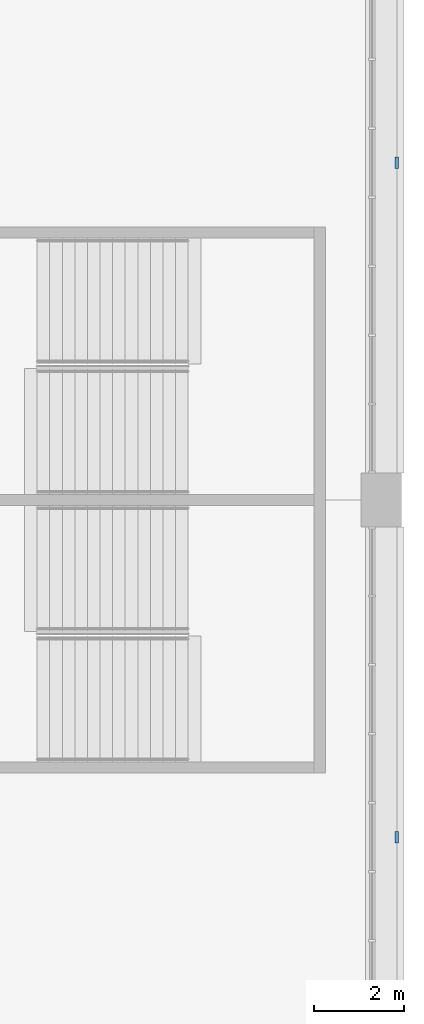
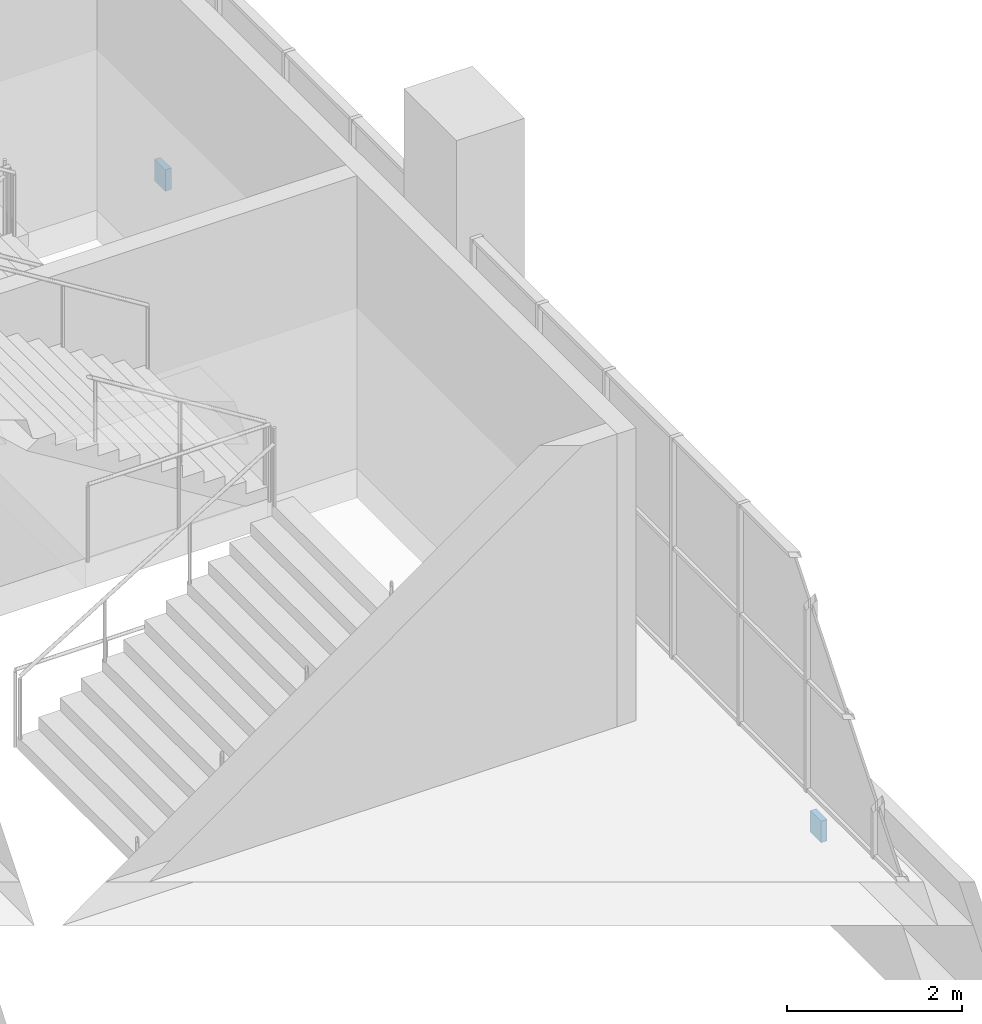
# One storey, part 100 of 199: 2 discrete accessories.
"""IFC4 building model written with IfcOpenShell, lengths in metres."""

from ifc_helpers import new_model, si_unit, direction, frame, origin, origin_2d, place, context, subcontext, project, spatial, rectangle, extrude, material, layer, layer_set, type_object, element, save


model = new_model("IFC4")

# Units and contexts
model_context = context("Model", 3, precision=1e-05, world=origin(), true_north=direction((0.0, 1.0)))
body_context = subcontext(model_context, "Body", "Model", "MODEL_VIEW")
ifc_project = project(units=[si_unit("LENGTHUNIT", "METRE"), si_unit("AREAUNIT", "SQUARE_METRE"), si_unit("VOLUMEUNIT", "CUBIC_METRE"), si_unit("PLANEANGLEUNIT", "RADIAN"), si_unit("MASSUNIT", "GRAM", prefix="KILO")], contexts=[model_context])

# Site, building, storey
site_placement = place(None, origin())
site = spatial("IfcSite", under=ifc_project, at=site_placement, CompositionType="ELEMENT")
building_placement = place(site_placement, origin())
building = spatial("IfcBuilding", under=site, at=building_placement, Name="Ogive Plaza Stadium", CompositionType="ELEMENT")
storey_placement = place(building_placement, frame((0.0, 0.0, 9.0)))
storey = spatial("IfcBuildingStorey", under=building, at=storey_placement, Name="L02", CompositionType="ELEMENT", Elevation=9.0)

# Discrete accessories
ifc_material = material(Name="Steel ASTM A572 Grade 50", Category="steel")
ifc_layer = layer(ifc_material, 0.080078125)
ifc_layer_set = layer_set([ifc_layer], Name="Steel ASTM A572 Grade 50")
discrete_accessory_type = type_object("IfcDiscreteAccessoryType", Name="Spandrel cladding bracket 250x300", PredefinedType="BRACKET", material=ifc_layer_set)
for number, where, z_axis, x_axis, name in (
    (1, (84.35009765625, 45.0, -1.31005859375), (0.0, 0.0, 1.0), (0.0, -1.0, 0.0), "SPANDREL BRACKET B01 L02"),
    (2, (84.35009765625, 30.0, -1.31005859375), (0.0, 0.0, 1.0), (0.0, -1.0, 0.0), "SPANDREL BRACKET B02 L02"),
):
    element("IfcDiscreteAccessory", number, at=place(storey_placement, frame(where, z_axis=z_axis, x_axis=x_axis)), inside=storey, type_object=discrete_accessory_type, Name=name, PredefinedType="BRACKET", context=body_context, shape_type="SweptSolid", body=[
        extrude(rectangle(XDim=0.25, YDim=0.080078125, at=origin_2d()), origin(), (0.0, 0.0, 1.0), 0.300048828125),
    ])

save(model, "model.ifc")
